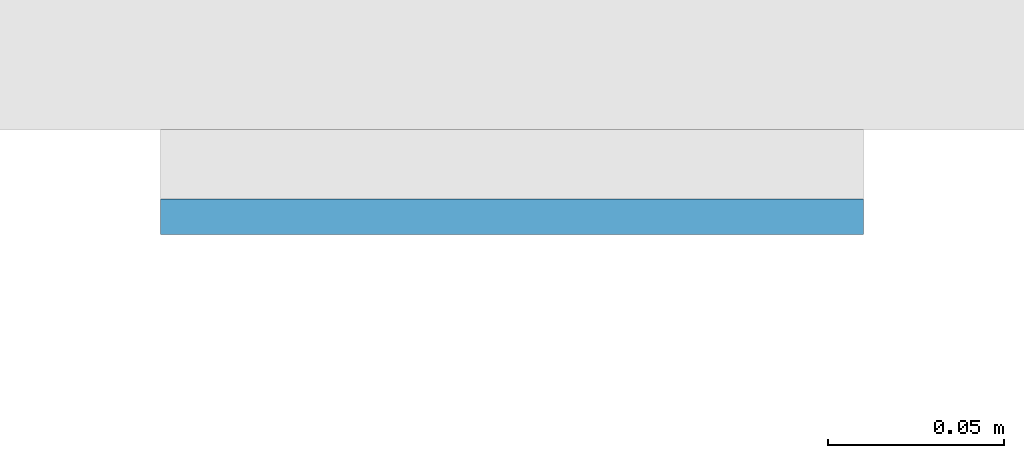
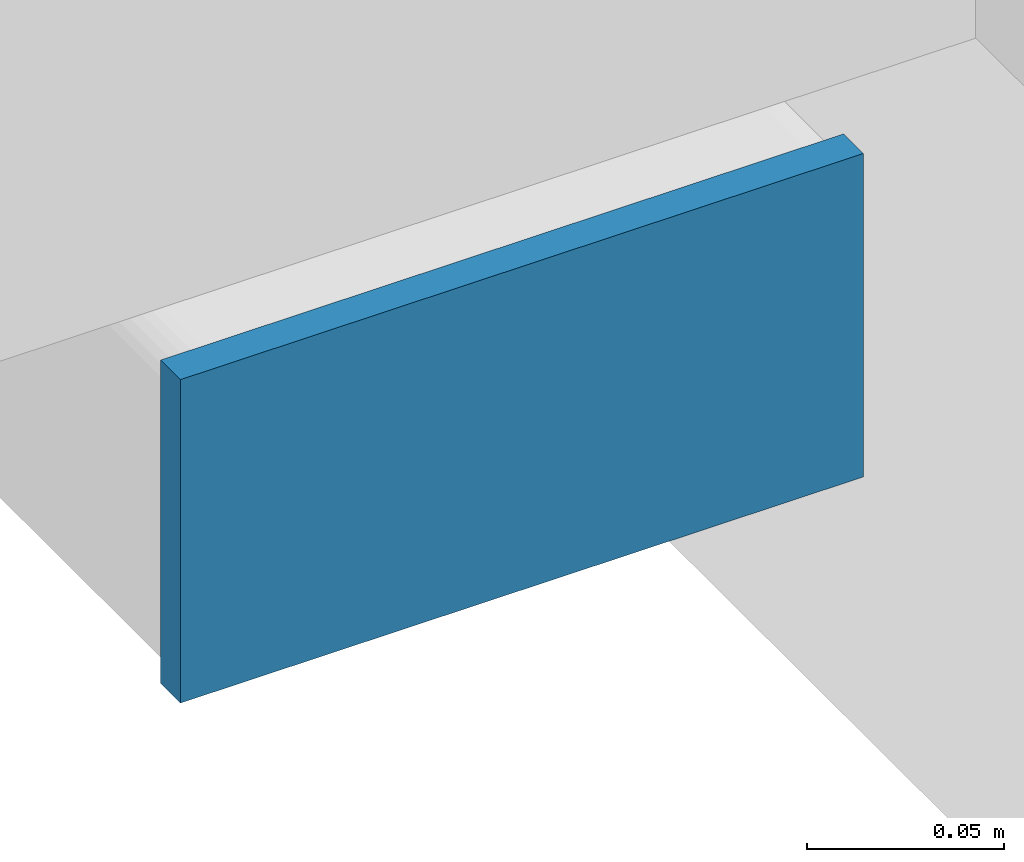
# One storey, part 8 of 20: 1 plate.
"""IFC4 building model written with IfcOpenShell, lengths in metres."""

from ifc_helpers import new_model, si_unit, direction, frame, origin, origin_2d, place, context, subcontext, project, spatial, rectangle, extrude, material, layer, layer_set, type_object, element, save


model = new_model("IFC4")

# Units and contexts
model_context = context("Model", 3, precision=1e-05, world=origin(), true_north=direction((0.0, 1.0)))
body_context = subcontext(model_context, "Body", "Model", "MODEL_VIEW")
ifc_project = project(units=[si_unit("LENGTHUNIT", "METRE"), si_unit("AREAUNIT", "SQUARE_METRE"), si_unit("VOLUMEUNIT", "CUBIC_METRE"), si_unit("PLANEANGLEUNIT", "RADIAN"), si_unit("MASSUNIT", "GRAM", prefix="KILO")], contexts=[model_context])

# Site, building, storey
site_placement = place(None, origin())
site = spatial("IfcSite", under=ifc_project, at=site_placement, CompositionType="ELEMENT")
building_placement = place(site_placement, origin())
building = spatial("IfcBuilding", under=site, at=building_placement, Name="Cleftline Residences", CompositionType="ELEMENT")
storey_placement = place(building_placement, frame((0.0, 0.0, 164.60009765625)))
storey = spatial("IfcBuildingStorey", under=building, at=storey_placement, Name="L43", CompositionType="ELEMENT", Elevation=164.60009765625)

# Plate
ifc_material = material(Name="Steel S355, hot-dip galvanised", Category="steel")
ifc_layer = layer(ifc_material, 0.010009765625)
ifc_layer_set = layer_set([ifc_layer], Name="BAGUETTE CARRIER END PLATE 200X100X10")
plate_type = type_object("IfcPlateType", Name="BAGUETTE CARRIER END PLATE 200X100X10", PredefinedType="USERDEFINED", material=ifc_layer_set)
plate_placement = place(storey_placement, frame((-0.85009765625, 3.695068359375, -0.10009765625), z_axis=(0.0, 0.0, 1.0), x_axis=(-1.0, 0.0, 0.0)))
element("IfcPlate", 1, at=plate_placement, inside=storey, type_object=plate_type, Name="Baguette carrier end plate", ObjectType="BAGUETTE CARRIER END PLATE", PredefinedType="USERDEFINED", context=body_context, shape_type="SweptSolid", body=[
    extrude(rectangle(XDim=0.199951171875, YDim=0.010009765625, at=origin_2d()), origin(), (0.0, 0.0, 1.0), 0.10009765625),
])

save(model, "model.ifc")
